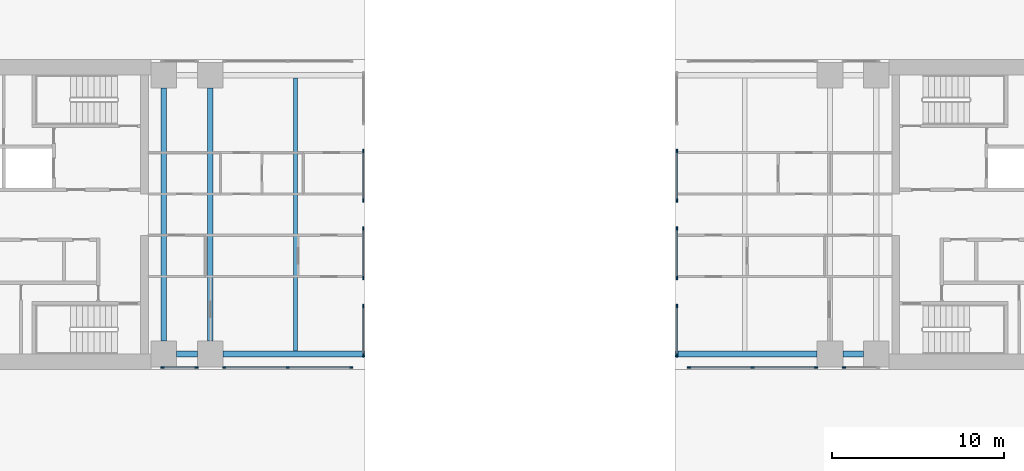
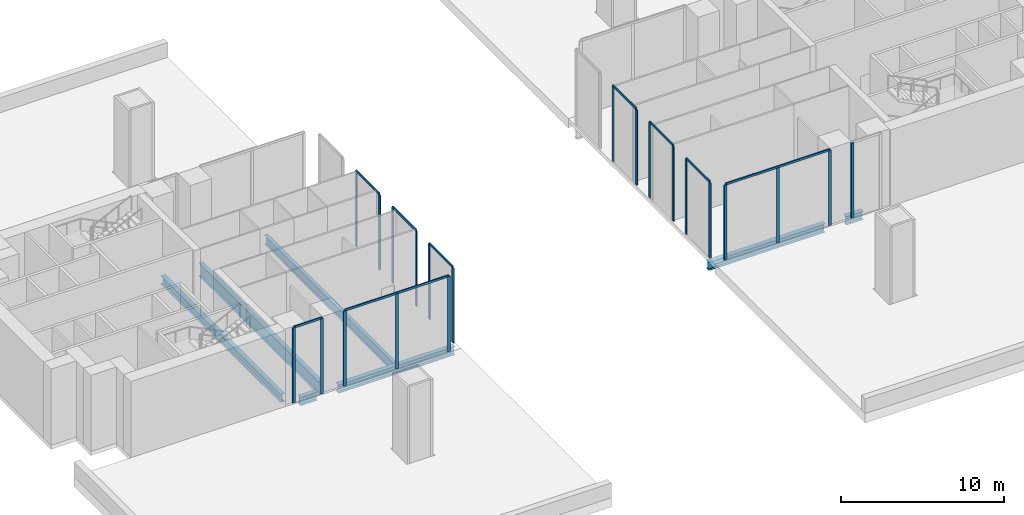
# One storey, part 2 of 13: 30 members, 7 beams, 10 elements without a shape of their own.
"""IFC4 building model written with IfcOpenShell, lengths in metres."""

from ifc_helpers import new_model, si_unit, direction, frame, origin, origin_2d, place, context, subcontext, project, spatial, rectangle, i_section, extrude, material, material_profile, profile_set, type_object, element, aggregate, save


model = new_model("IFC4")

# Units and contexts
model_context = context("Model", 3, precision=1e-05, world=origin(), true_north=direction((0.0, 1.0)))
body_context = subcontext(model_context, "Body", "Model", "MODEL_VIEW")
ifc_project = project(units=[si_unit("LENGTHUNIT", "METRE"), si_unit("AREAUNIT", "SQUARE_METRE"), si_unit("VOLUMEUNIT", "CUBIC_METRE"), si_unit("PLANEANGLEUNIT", "RADIAN"), si_unit("MASSUNIT", "GRAM", prefix="KILO")], contexts=[model_context])

# Site, building, storey
site_placement = place(None, origin())
site = spatial("IfcSite", under=ifc_project, at=site_placement, CompositionType="ELEMENT")
building_placement = place(site_placement, origin())
building = spatial("IfcBuilding", under=site, at=building_placement, Name="Perihelion Cross Residences", CompositionType="ELEMENT")
storey_placement = place(building_placement, frame((0.0, 0.0, 15.0)))
storey = spatial("IfcBuildingStorey", under=building, at=storey_placement, Name="L01", CompositionType="ELEMENT", Elevation=15.0)

# Curtain wall, members
ifc_material_1 = material(Name="Bronze anodised aluminium, tinted glazing", Category="aluminium")
curtain_wall_type = type_object("IfcCurtainWallType", Name="CW2", PredefinedType="NOTDEFINED", material=ifc_material_1)
curtain_wall_1_placement = place(storey_placement, origin())
curtain_wall_1 = element("IfcCurtainWall", 1, at=curtain_wall_1_placement, inside=storey, type_object=curtain_wall_type, Name="Curtain wall CW2 L01 west side south bay 1", PredefinedType="NOTDEFINED")
ifc_material_2 = material(Name="Bronze anodised aluminium", Category="aluminium")
ifc_material_profile_1 = material_profile(ifc_material_2, rectangle(XDim=0.080078125, YDim=0.199951171875, at=origin_2d()), Name="CW2 mullion")
ifc_profile_set_1 = profile_set([ifc_material_profile_1], Name="Bronze anodised aluminium")
member_type_1 = type_object("IfcMemberType", Name="CW2 mullion", PredefinedType="MULLION", material=ifc_profile_set_1)
member_1_placement = place(storey_placement, frame((-20.7900390625, -8.889892578125, 0.0), z_axis=(0.0, 0.0, 1.0), x_axis=(0.0, 1.0, 0.0)))
member_1 = element("IfcMember", 2, at=member_1_placement, type_object=member_type_1, Name="CW2 mullion 1", PredefinedType="MULLION", context=body_context, shape_type="SweptSolid", body=[
    extrude(rectangle(XDim=0.080078125, YDim=0.199951171875, at=origin_2d()), origin(), (0.0, 0.0, 1.0), 5.6201171875),
])
member_2_placement = place(storey_placement, frame((-18.81005859375, -8.889892578125, 0.0), z_axis=(0.0, 0.0, 1.0), x_axis=(0.0, 1.0, 0.0)))
member_2 = element("IfcMember", 3, at=member_2_placement, type_object=member_type_1, Name="CW2 mullion 2", PredefinedType="MULLION", context=body_context, shape_type="SweptSolid", body=[
    extrude(rectangle(XDim=0.080078125, YDim=0.199951171875, at=origin_2d()), origin(), (0.0, 0.0, 1.0), 5.6201171875),
])

curtain_wall_2_placement = place(storey_placement, origin())
curtain_wall_2 = element("IfcCurtainWall", 4, at=curtain_wall_2_placement, inside=storey, type_object=curtain_wall_type, Name="Curtain wall CW2 L01 west side south bay 2", PredefinedType="NOTDEFINED")
member_3_placement = place(storey_placement, frame((-17.18994140625, -8.889892578125, 0.0), z_axis=(0.0, 0.0, 1.0), x_axis=(0.0, 1.0, 0.0)))
member_3 = element("IfcMember", 5, at=member_3_placement, type_object=member_type_1, Name="CW2 mullion 1", PredefinedType="MULLION", context=body_context, shape_type="SweptSolid", body=[
    extrude(rectangle(XDim=0.080078125, YDim=0.199951171875, at=origin_2d()), origin(), (0.0, 0.0, 1.0), 5.6201171875),
])
member_4_placement = place(storey_placement, frame((-13.5, -8.889892578125, 0.0), z_axis=(0.0, 0.0, 1.0), x_axis=(0.0, 1.0, 0.0)))
member_4 = element("IfcMember", 6, at=member_4_placement, type_object=member_type_1, Name="CW2 mullion 2", PredefinedType="MULLION", context=body_context, shape_type="SweptSolid", body=[
    extrude(rectangle(XDim=0.080078125, YDim=0.199951171875, at=origin_2d()), origin(), (0.0, 0.0, 1.0), 5.6201171875),
])
member_5_placement = place(storey_placement, frame((-9.81005859375, -8.889892578125, 0.0), z_axis=(0.0, 0.0, 1.0), x_axis=(0.0, 1.0, 0.0)))
member_5 = element("IfcMember", 7, at=member_5_placement, type_object=member_type_1, Name="CW2 mullion 3", PredefinedType="MULLION", context=body_context, shape_type="SweptSolid", body=[
    extrude(rectangle(XDim=0.080078125, YDim=0.199951171875, at=origin_2d()), origin(), (0.0, 0.0, 1.0), 5.6201171875),
])

curtain_wall_3_placement = place(storey_placement, origin())
curtain_wall_3 = element("IfcCurtainWall", 8, at=curtain_wall_3_placement, inside=storey, type_object=curtain_wall_type, Name="Curtain wall CW2 L01 east side south bay 1", PredefinedType="NOTDEFINED")
member_6_placement = place(storey_placement, frame((9.81005859375, -8.889892578125, 0.0), z_axis=(0.0, 0.0, 1.0), x_axis=(0.0, 1.0, 0.0)))
member_6 = element("IfcMember", 9, at=member_6_placement, type_object=member_type_1, Name="CW2 mullion 1", PredefinedType="MULLION", context=body_context, shape_type="SweptSolid", body=[
    extrude(rectangle(XDim=0.080078125, YDim=0.199951171875, at=origin_2d()), origin(), (0.0, 0.0, 1.0), 5.6201171875),
])
member_7_placement = place(storey_placement, frame((13.5, -8.889892578125, 0.0), z_axis=(0.0, 0.0, 1.0), x_axis=(0.0, 1.0, 0.0)))
member_7 = element("IfcMember", 10, at=member_7_placement, type_object=member_type_1, Name="CW2 mullion 2", PredefinedType="MULLION", context=body_context, shape_type="SweptSolid", body=[
    extrude(rectangle(XDim=0.080078125, YDim=0.199951171875, at=origin_2d()), origin(), (0.0, 0.0, 1.0), 5.6201171875),
])
member_8_placement = place(storey_placement, frame((17.18994140625, -8.889892578125, 0.0), z_axis=(0.0, 0.0, 1.0), x_axis=(0.0, 1.0, 0.0)))
member_8 = element("IfcMember", 11, at=member_8_placement, type_object=member_type_1, Name="CW2 mullion 3", PredefinedType="MULLION", context=body_context, shape_type="SweptSolid", body=[
    extrude(rectangle(XDim=0.080078125, YDim=0.199951171875, at=origin_2d()), origin(), (0.0, 0.0, 1.0), 5.6201171875),
])

# Curtain wall, member
curtain_wall_4_placement = place(storey_placement, origin())
curtain_wall_4 = element("IfcCurtainWall", 12, at=curtain_wall_4_placement, inside=storey, type_object=curtain_wall_type, Name="Curtain wall CW2 L01 east side south bay 2", PredefinedType="NOTDEFINED")
member_9_placement = place(storey_placement, frame((18.81005859375, -8.889892578125, 0.0), z_axis=(0.0, 0.0, 1.0), x_axis=(0.0, 1.0, 0.0)))
member_9 = element("IfcMember", 13, at=member_9_placement, type_object=member_type_1, Name="CW2 mullion 1", PredefinedType="MULLION", context=body_context, shape_type="SweptSolid", body=[
    extrude(rectangle(XDim=0.080078125, YDim=0.199951171875, at=origin_2d()), origin(), (0.0, 0.0, 1.0), 5.6201171875),
])
aggregate(curtain_wall_4, [member_9])

# Curtain wall, members
curtain_wall_5_placement = place(storey_placement, origin())
curtain_wall_5 = element("IfcCurtainWall", 14, at=curtain_wall_5_placement, inside=storey, type_object=curtain_wall_type, Name="Curtain wall CW2 L01 east inner east bay 2", PredefinedType="NOTDEFINED")
member_10_placement = place(storey_placement, frame((9.110107421875, 3.68994140625, 0.0), z_axis=(0.0, 0.0, 1.0), x_axis=(1.0, 0.0, 0.0)))
member_10 = element("IfcMember", 15, at=member_10_placement, type_object=member_type_1, Name="CW2 mullion 1", PredefinedType="MULLION", context=body_context, shape_type="SweptSolid", body=[
    extrude(rectangle(XDim=0.080078125, YDim=0.199951171875, at=origin_2d()), origin(), (0.0, 0.0, 1.0), 5.6201171875),
])
member_11_placement = place(storey_placement, frame((9.110107421875, 0.81005859375, 0.0), z_axis=(0.0, 0.0, 1.0), x_axis=(1.0, 0.0, 0.0)))
member_11 = element("IfcMember", 16, at=member_11_placement, type_object=member_type_1, Name="CW2 mullion 2", PredefinedType="MULLION", context=body_context, shape_type="SweptSolid", body=[
    extrude(rectangle(XDim=0.080078125, YDim=0.199951171875, at=origin_2d()), origin(), (0.0, 0.0, 1.0), 5.6201171875),
])

curtain_wall_6_placement = place(storey_placement, origin())
curtain_wall_6 = element("IfcCurtainWall", 17, at=curtain_wall_6_placement, inside=storey, type_object=curtain_wall_type, Name="Curtain wall CW2 L01 east inner east bay 3", PredefinedType="NOTDEFINED")
member_12_placement = place(storey_placement, frame((9.110107421875, -0.81005859375, 0.0), z_axis=(0.0, 0.0, 1.0), x_axis=(1.0, 0.0, 0.0)))
member_12 = element("IfcMember", 18, at=member_12_placement, type_object=member_type_1, Name="CW2 mullion 1", PredefinedType="MULLION", context=body_context, shape_type="SweptSolid", body=[
    extrude(rectangle(XDim=0.080078125, YDim=0.199951171875, at=origin_2d()), origin(), (0.0, 0.0, 1.0), 5.6201171875),
])
member_13_placement = place(storey_placement, frame((9.110107421875, -3.68994140625, 0.0), z_axis=(0.0, 0.0, 1.0), x_axis=(1.0, 0.0, 0.0)))
member_13 = element("IfcMember", 19, at=member_13_placement, type_object=member_type_1, Name="CW2 mullion 2", PredefinedType="MULLION", context=body_context, shape_type="SweptSolid", body=[
    extrude(rectangle(XDim=0.080078125, YDim=0.199951171875, at=origin_2d()), origin(), (0.0, 0.0, 1.0), 5.6201171875),
])

curtain_wall_7_placement = place(storey_placement, origin())
curtain_wall_7 = element("IfcCurtainWall", 20, at=curtain_wall_7_placement, inside=storey, type_object=curtain_wall_type, Name="Curtain wall CW2 L01 east inner east bay 4", PredefinedType="NOTDEFINED")
member_14_placement = place(storey_placement, frame((9.110107421875, -5.31005859375, 0.0), z_axis=(0.0, 0.0, 1.0), x_axis=(1.0, 0.0, 0.0)))
member_14 = element("IfcMember", 21, at=member_14_placement, type_object=member_type_1, Name="CW2 mullion 1", PredefinedType="MULLION", context=body_context, shape_type="SweptSolid", body=[
    extrude(rectangle(XDim=0.080078125, YDim=0.199951171875, at=origin_2d()), origin(), (0.0, 0.0, 1.0), 5.6201171875),
])
member_15_placement = place(storey_placement, frame((9.110107421875, -8.18994140625, 0.0), z_axis=(0.0, 0.0, 1.0), x_axis=(1.0, 0.0, 0.0)))
member_15 = element("IfcMember", 22, at=member_15_placement, type_object=member_type_1, Name="CW2 mullion 2", PredefinedType="MULLION", context=body_context, shape_type="SweptSolid", body=[
    extrude(rectangle(XDim=0.080078125, YDim=0.199951171875, at=origin_2d()), origin(), (0.0, 0.0, 1.0), 5.6201171875),
])

curtain_wall_8_placement = place(storey_placement, origin())
curtain_wall_8 = element("IfcCurtainWall", 23, at=curtain_wall_8_placement, inside=storey, type_object=curtain_wall_type, Name="Curtain wall CW2 L01 west inner west bay 1", PredefinedType="NOTDEFINED")
member_16_placement = place(storey_placement, frame((-9.110107421875, -8.18994140625, 0.0), z_axis=(0.0, 0.0, 1.0), x_axis=(-1.0, 0.0, 0.0)))
member_16 = element("IfcMember", 24, at=member_16_placement, type_object=member_type_1, Name="CW2 mullion 1", PredefinedType="MULLION", context=body_context, shape_type="SweptSolid", body=[
    extrude(rectangle(XDim=0.080078125, YDim=0.199951171875, at=origin_2d()), origin(), (0.0, 0.0, 1.0), 5.6201171875),
])
member_17_placement = place(storey_placement, frame((-9.110107421875, -5.31005859375, 0.0), z_axis=(0.0, 0.0, 1.0), x_axis=(-1.0, 0.0, 0.0)))
member_17 = element("IfcMember", 25, at=member_17_placement, type_object=member_type_1, Name="CW2 mullion 2", PredefinedType="MULLION", context=body_context, shape_type="SweptSolid", body=[
    extrude(rectangle(XDim=0.080078125, YDim=0.199951171875, at=origin_2d()), origin(), (0.0, 0.0, 1.0), 5.6201171875),
])

curtain_wall_9_placement = place(storey_placement, origin())
curtain_wall_9 = element("IfcCurtainWall", 26, at=curtain_wall_9_placement, inside=storey, type_object=curtain_wall_type, Name="Curtain wall CW2 L01 west inner west bay 2", PredefinedType="NOTDEFINED")
member_18_placement = place(storey_placement, frame((-9.110107421875, -3.68994140625, 0.0), z_axis=(0.0, 0.0, 1.0), x_axis=(-1.0, 0.0, 0.0)))
member_18 = element("IfcMember", 27, at=member_18_placement, type_object=member_type_1, Name="CW2 mullion 1", PredefinedType="MULLION", context=body_context, shape_type="SweptSolid", body=[
    extrude(rectangle(XDim=0.080078125, YDim=0.199951171875, at=origin_2d()), origin(), (0.0, 0.0, 1.0), 5.6201171875),
])
member_19_placement = place(storey_placement, frame((-9.110107421875, -0.81005859375, 0.0), z_axis=(0.0, 0.0, 1.0), x_axis=(-1.0, 0.0, 0.0)))
member_19 = element("IfcMember", 28, at=member_19_placement, type_object=member_type_1, Name="CW2 mullion 2", PredefinedType="MULLION", context=body_context, shape_type="SweptSolid", body=[
    extrude(rectangle(XDim=0.080078125, YDim=0.199951171875, at=origin_2d()), origin(), (0.0, 0.0, 1.0), 5.6201171875),
])

curtain_wall_10_placement = place(storey_placement, origin())
curtain_wall_10 = element("IfcCurtainWall", 29, at=curtain_wall_10_placement, inside=storey, type_object=curtain_wall_type, Name="Curtain wall CW2 L01 west inner west bay 3", PredefinedType="NOTDEFINED")
member_20_placement = place(storey_placement, frame((-9.110107421875, 0.81005859375, 0.0), z_axis=(0.0, 0.0, 1.0), x_axis=(-1.0, 0.0, 0.0)))
member_20 = element("IfcMember", 30, at=member_20_placement, type_object=member_type_1, Name="CW2 mullion 1", PredefinedType="MULLION", context=body_context, shape_type="SweptSolid", body=[
    extrude(rectangle(XDim=0.080078125, YDim=0.199951171875, at=origin_2d()), origin(), (0.0, 0.0, 1.0), 5.6201171875),
])
member_21_placement = place(storey_placement, frame((-9.110107421875, 3.68994140625, 0.0), z_axis=(0.0, 0.0, 1.0), x_axis=(-1.0, 0.0, 0.0)))
member_21 = element("IfcMember", 31, at=member_21_placement, type_object=member_type_1, Name="CW2 mullion 2", PredefinedType="MULLION", context=body_context, shape_type="SweptSolid", body=[
    extrude(rectangle(XDim=0.080078125, YDim=0.199951171875, at=origin_2d()), origin(), (0.0, 0.0, 1.0), 5.6201171875),
])

# Member
ifc_material_3 = material(Name="Bronze anodised aluminium", Category="aluminium")
ifc_material_profile_2 = material_profile(ifc_material_3, rectangle(XDim=0.080078125, YDim=0.159912109375, at=origin_2d()), Name="CW2 transom")
ifc_profile_set_2 = profile_set([ifc_material_profile_2], Name="Bronze anodised aluminium")
member_type_2 = type_object("IfcMemberType", Name="CW2 transom", PredefinedType="USERDEFINED", material=ifc_profile_set_2)
member_22_placement = place(storey_placement, frame((-20.7900390625, -8.889892578125, 5.659912109375), z_axis=(1.0, 0.0, 0.0), x_axis=(0.0, 1.0, 0.0)))
member_22 = element("IfcMember", 32, at=member_22_placement, type_object=member_type_2, Name="CW2 head transom", ObjectType="TRANSOM", PredefinedType="USERDEFINED", context=body_context, shape_type="SweptSolid", body=[
    extrude(rectangle(XDim=0.080078125, YDim=0.159912109375, at=origin_2d()), origin(), (0.0, 0.0, 1.0), 1.97998046875),
])

aggregate(curtain_wall_1, [member_1, member_2, member_22])

member_23_placement = place(storey_placement, frame((-17.18994140625, -8.889892578125, 5.659912109375), z_axis=(1.0, 0.0, 0.0), x_axis=(0.0, 1.0, 0.0)))
member_23 = element("IfcMember", 33, at=member_23_placement, type_object=member_type_2, Name="CW2 head transom", ObjectType="TRANSOM", PredefinedType="USERDEFINED", context=body_context, shape_type="SweptSolid", body=[
    extrude(rectangle(XDim=0.080078125, YDim=0.159912109375, at=origin_2d()), origin(), (0.0, 0.0, 1.0), 7.3798828125),
])

aggregate(curtain_wall_2, [member_3, member_4, member_5, member_23])

member_24_placement = place(storey_placement, frame((9.81005859375, -8.889892578125, 5.659912109375), z_axis=(1.0, 0.0, 0.0), x_axis=(0.0, 1.0, 0.0)))
member_24 = element("IfcMember", 34, at=member_24_placement, type_object=member_type_2, Name="CW2 head transom", ObjectType="TRANSOM", PredefinedType="USERDEFINED", context=body_context, shape_type="SweptSolid", body=[
    extrude(rectangle(XDim=0.080078125, YDim=0.159912109375, at=origin_2d()), origin(), (0.0, 0.0, 1.0), 7.3798828125),
])

aggregate(curtain_wall_3, [member_6, member_7, member_8, member_24])

member_25_placement = place(storey_placement, frame((9.110107421875, 3.68994140625, 5.659912109375), z_axis=(0.0, -1.0, 0.0), x_axis=(1.0, 0.0, 0.0)))
member_25 = element("IfcMember", 35, at=member_25_placement, type_object=member_type_2, Name="CW2 head transom", ObjectType="TRANSOM", PredefinedType="USERDEFINED", context=body_context, shape_type="SweptSolid", body=[
    extrude(rectangle(XDim=0.080078125, YDim=0.159912109375, at=origin_2d()), origin(), (0.0, 0.0, 1.0), 2.8798828125),
])

aggregate(curtain_wall_5, [member_10, member_11, member_25])

member_26_placement = place(storey_placement, frame((9.110107421875, -0.81005859375, 5.659912109375), z_axis=(0.0, -1.0, 0.0), x_axis=(1.0, 0.0, 0.0)))
member_26 = element("IfcMember", 36, at=member_26_placement, type_object=member_type_2, Name="CW2 head transom", ObjectType="TRANSOM", PredefinedType="USERDEFINED", context=body_context, shape_type="SweptSolid", body=[
    extrude(rectangle(XDim=0.080078125, YDim=0.159912109375, at=origin_2d()), origin(), (0.0, 0.0, 1.0), 2.8798828125),
])

aggregate(curtain_wall_6, [member_12, member_13, member_26])

member_27_placement = place(storey_placement, frame((9.110107421875, -5.31005859375, 5.659912109375), z_axis=(0.0, -1.0, 0.0), x_axis=(1.0, 0.0, 0.0)))
member_27 = element("IfcMember", 37, at=member_27_placement, type_object=member_type_2, Name="CW2 head transom", ObjectType="TRANSOM", PredefinedType="USERDEFINED", context=body_context, shape_type="SweptSolid", body=[
    extrude(rectangle(XDim=0.080078125, YDim=0.159912109375, at=origin_2d()), origin(), (0.0, 0.0, 1.0), 2.8798828125),
])

aggregate(curtain_wall_7, [member_14, member_15, member_27])

member_28_placement = place(storey_placement, frame((-9.110107421875, -8.18994140625, 5.659912109375), z_axis=(0.0, 1.0, 0.0), x_axis=(-1.0, 0.0, 0.0)))
member_28 = element("IfcMember", 38, at=member_28_placement, type_object=member_type_2, Name="CW2 head transom", ObjectType="TRANSOM", PredefinedType="USERDEFINED", context=body_context, shape_type="SweptSolid", body=[
    extrude(rectangle(XDim=0.080078125, YDim=0.159912109375, at=origin_2d()), origin(), (0.0, 0.0, 1.0), 2.8798828125),
])

aggregate(curtain_wall_8, [member_16, member_17, member_28])

member_29_placement = place(storey_placement, frame((-9.110107421875, -3.68994140625, 5.659912109375), z_axis=(0.0, 1.0, 0.0), x_axis=(-1.0, 0.0, 0.0)))
member_29 = element("IfcMember", 39, at=member_29_placement, type_object=member_type_2, Name="CW2 head transom", ObjectType="TRANSOM", PredefinedType="USERDEFINED", context=body_context, shape_type="SweptSolid", body=[
    extrude(rectangle(XDim=0.080078125, YDim=0.159912109375, at=origin_2d()), origin(), (0.0, 0.0, 1.0), 2.8798828125),
])

aggregate(curtain_wall_9, [member_18, member_19, member_29])

member_30_placement = place(storey_placement, frame((-9.110107421875, 0.81005859375, 5.659912109375), z_axis=(0.0, 1.0, 0.0), x_axis=(-1.0, 0.0, 0.0)))
member_30 = element("IfcMember", 40, at=member_30_placement, type_object=member_type_2, Name="CW2 head transom", ObjectType="TRANSOM", PredefinedType="USERDEFINED", context=body_context, shape_type="SweptSolid", body=[
    extrude(rectangle(XDim=0.080078125, YDim=0.159912109375, at=origin_2d()), origin(), (0.0, 0.0, 1.0), 2.8798828125),
])

aggregate(curtain_wall_10, [member_20, member_21, member_30])

# Beams
ifc_material_4 = material(Name="Steel S355", Category="steel")
ifc_material_profile_3 = material_profile(ifc_material_4, i_section(OverallWidth=0.324951171875, OverallDepth=0.616943359375, WebThickness=0.013916015625, FlangeThickness=0.021484375, at=origin_2d()), Name="W610x174")
ifc_profile_set_3 = profile_set([ifc_material_profile_3], Name="Steel S355")
beam_type_1 = type_object("IfcBeamType", Name="Core edge beam W610x174", PredefinedType="BEAM", material=ifc_profile_set_3)
beam_1_placement = place(storey_placement, frame((-20.699951171875, -7.35009765625, -0.6083984375), z_axis=(0.0, 1.0, 0.0), x_axis=(-1.0, 0.0, 0.0)))
element("IfcBeam", 41, at=beam_1_placement, inside=storey, type_object=beam_type_1, Name="Core edge beam TB1 L01 no. 1", PredefinedType="BEAM", context=body_context, shape_type="SweptSolid", body=[
    extrude(i_section(OverallWidth=0.324951171875, OverallDepth=0.616943359375, WebThickness=0.013916015625, FlangeThickness=0.021484375, at=origin_2d()), origin(), (0.0, 0.0, 1.0), 14.7001953125),
])
ifc_material_5 = material(Name="Steel S355", Category="steel")
ifc_material_profile_4 = material_profile(ifc_material_5, i_section(OverallWidth=0.330078125, OverallDepth=0.635009765625, WebThickness=0.017822265625, FlangeThickness=0.031005859375, at=origin_2d()), Name="W610x241")
ifc_profile_set_4 = profile_set([ifc_material_profile_4], Name="Steel S355")
beam_type_2 = type_object("IfcBeamType", Name="Edge beam W610x241", PredefinedType="SPANDREL", material=ifc_profile_set_4)
for number, where, z_axis, x_axis, name in (
    (42, (-19.949951171875, -8.10009765625, -0.617431640625), (1.0, 0.0, 0.0), (0.0, 1.0, 0.0), "Edge beam SB1 L01 no. 2"),
    (43, (18.75, -8.10009765625, -0.617431640625), (1.0, 0.0, 0.0), (0.0, 1.0, 0.0), "Edge beam SB1 L01 no. 3"),
):
    element("IfcBeam", number, at=place(storey_placement, frame(where, z_axis=z_axis, x_axis=x_axis)), inside=storey, type_object=beam_type_2, Name=name, PredefinedType="SPANDREL", context=body_context, shape_type="SweptSolid", body=[
        extrude(i_section(OverallWidth=0.330078125, OverallDepth=0.635009765625, WebThickness=0.017822265625, FlangeThickness=0.031005859375, at=origin_2d()), origin(), (0.0, 0.0, 1.0), 1.199951171875),
    ])
for number, where, z_axis, x_axis, name in (
    (44, (9.0, -8.10009765625, -0.617431640625), (1.0, 0.0, 0.0), (0.0, 1.0, 0.0), "Edge beam SB1 L01 pier no. 3"),
    (45, (-9.0, -8.10009765625, -0.617431640625), (-1.0, 0.0, 0.0), (0.0, -1.0, 0.0), "Edge beam SB1 L01 pier no. 1"),
):
    element("IfcBeam", number, at=place(storey_placement, frame(where, z_axis=z_axis, x_axis=x_axis)), inside=storey, type_object=beam_type_2, Name=name, PredefinedType="SPANDREL", context=body_context, shape_type="SweptSolid", body=[
        extrude(i_section(OverallWidth=0.330078125, OverallDepth=0.635009765625, WebThickness=0.017822265625, FlangeThickness=0.031005859375, at=origin_2d()), origin(), (0.0, 0.0, 1.0), 8.25),
    ])
ifc_material_6 = material(Name="Steel S355", Category="steel")
ifc_material_profile_5 = material_profile(ifc_material_6, i_section(OverallWidth=0.300048828125, OverallDepth=0.97998046875, WebThickness=0.0166015625, FlangeThickness=0.026123046875, at=origin_2d()), Name="W1000x249")
ifc_profile_set_5 = profile_set([ifc_material_profile_5], Name="Steel S355")
beam_type_3 = type_object("IfcBeamType", Name="Floor girder W1000x249", PredefinedType="BEAM", material=ifc_profile_set_5)
beam_2_placement = place(storey_placement, frame((-18.0, -7.35009765625, -0.7900390625), z_axis=(0.0, 1.0, 0.0), x_axis=(-1.0, 0.0, 0.0)))
element("IfcBeam", 46, at=beam_2_placement, inside=storey, type_object=beam_type_3, Name="Girder G1 L01 no. 1", PredefinedType="BEAM", context=body_context, shape_type="SweptSolid", body=[
    extrude(i_section(OverallWidth=0.300048828125, OverallDepth=0.97998046875, WebThickness=0.0166015625, FlangeThickness=0.026123046875, at=origin_2d()), origin(), (0.0, 0.0, 1.0), 14.7001953125),
])
ifc_material_7 = material(Name="Steel S355", Category="steel")
ifc_material_profile_6 = material_profile(ifc_material_7, i_section(OverallWidth=0.257080078125, OverallDepth=0.693115234375, WebThickness=0.014404296875, FlangeThickness=0.023681640625, at=origin_2d()), Name="W690x170")
ifc_profile_set_6 = profile_set([ifc_material_profile_6], Name="Steel S355")
beam_type_4 = type_object("IfcBeamType", Name="Floor joist W690x170", PredefinedType="JOIST", material=ifc_profile_set_6)
beam_3_placement = place(storey_placement, frame((-13.050048828125, -7.93505859375, -0.646484375), z_axis=(0.0, 1.0, 0.0), x_axis=(-1.0, 0.0, 0.0)))
element("IfcBeam", 47, at=beam_3_placement, inside=storey, type_object=beam_type_4, Name="Joist J1 L01 no. 1", PredefinedType="JOIST", context=body_context, shape_type="SweptSolid", body=[
    extrude(i_section(OverallWidth=0.257080078125, OverallDepth=0.693115234375, WebThickness=0.014404296875, FlangeThickness=0.023681640625, at=origin_2d()), origin(), (0.0, 0.0, 1.0), 15.8701171875),
])

save(model, "model.ifc")
